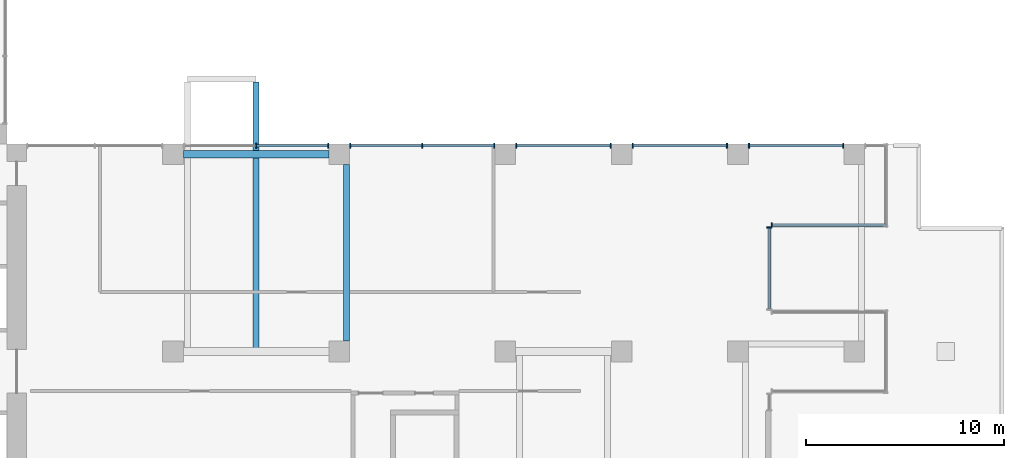
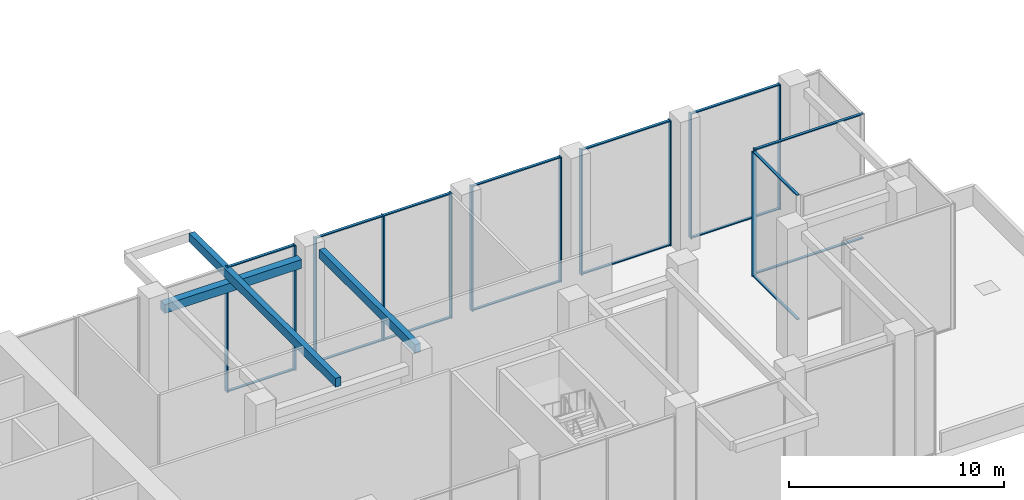
# One storey, part 5 of 18: 30 members, 2 beams, 7 elements without a shape of their own.
"""IFC4 building model written with IfcOpenShell, lengths in metres."""

from ifc_helpers import new_model, si_unit, direction, frame, origin, origin_2d, place, context, subcontext, project, spatial, rectangle, extrude, source, transform, mapped, material, layer, layer_set, material_profile, profile_set, type_object, element, aggregate, save


model = new_model("IFC4")

# Units and contexts
model_context = context("Model", 3, precision=1e-05, world=origin(), true_north=direction((0.0, 1.0)))
body_context = subcontext(model_context, "Body", "Model", "MODEL_VIEW")
ifc_project = project(units=[si_unit("LENGTHUNIT", "METRE"), si_unit("AREAUNIT", "SQUARE_METRE"), si_unit("VOLUMEUNIT", "CUBIC_METRE"), si_unit("PLANEANGLEUNIT", "RADIAN"), si_unit("MASSUNIT", "GRAM", prefix="KILO")], contexts=[model_context])

# Site, building, storey
site_placement = place(None, origin())
site = spatial("IfcSite", under=ifc_project, at=site_placement, CompositionType="ELEMENT")
building_placement = place(site_placement, origin())
building = spatial("IfcBuilding", under=site, at=building_placement, Name="Aurelian Terraces", CompositionType="ELEMENT")
storey_placement = place(building_placement, frame((0.0, 0.0, 170.3)))
storey = spatial("IfcBuildingStorey", under=building, at=storey_placement, Name="L37", CompositionType="ELEMENT", Elevation=170.3)

# Member
ifc_material_1 = material(Name="Concrete fc' 40 MPa", Category="concrete")
ifc_material_profile_1 = material_profile(ifc_material_1, rectangle(XDim=0.3, YDim=0.5, at=origin_2d()))
ifc_profile_set_1 = profile_set([ifc_material_profile_1], Name="Concrete fc' 40 MPa")
member_type_1 = type_object("IfcMemberType", Name="CONCRETE EDGE BEAM 300X500", PredefinedType="MEMBER", material=ifc_profile_set_1)
member_1_placement = place(storey_placement, frame((38.175, 19.95, 6.85), z_axis=(0.0, -1.0, 0.0), x_axis=(1.0, 0.0, 0.0)))
element("IfcMember", 1, at=member_1_placement, inside=storey, type_object=member_type_1, Name="Terrace edge member L38-X1", PredefinedType="MEMBER", context=body_context, shape_type="SweptSolid", body=[
    extrude(rectangle(XDim=0.3, YDim=0.5, at=origin_2d()), origin(), (0.0, 0.0, 1.0), 8.925),
])

# Beams
ifc_material_profile_2 = material_profile(ifc_material_1, rectangle(XDim=0.3, YDim=0.5, at=origin_2d()))
ifc_profile_set_2 = profile_set([ifc_material_profile_2], Name="Concrete fc' 40 MPa")
beam_type_1 = type_object("IfcBeamType", Name="CONCRETE CANTILEVER BEAM 300X500", PredefinedType="BEAM", material=ifc_profile_set_2)
shared_shape_1 = source(origin(), body_context, "Body", "SweptSolid", [
    extrude(rectangle(XDim=0.3, YDim=0.5, at=origin_2d()), origin(), (0.0, 0.0, 1.0), 13.625),
])
beam_1_placement = place(storey_placement, frame((33.6, 24.125, 6.85), z_axis=(0.0, -1.0, 0.0), x_axis=(1.0, 0.0, 0.0)))
element("IfcBeam", 2, at=beam_1_placement, inside=storey, type_object=beam_type_1, Name="Box cantilever beam J52.2", PredefinedType="BEAM", context=body_context, shape_type="MappedRepresentation", body=[
    mapped(shared_shape_1, transform((0.0, 0.0, 0.0), scale=1.0)),
])
ifc_material_profile_3 = material_profile(ifc_material_1, rectangle(XDim=0.4, YDim=0.5, at=origin_2d()))
ifc_profile_set_3 = profile_set([ifc_material_profile_3], Name="Concrete fc' 40 MPa")
beam_type_2 = type_object("IfcBeamType", Name="CONCRETE EDGE GIRDER 400X500", PredefinedType="BEAM", material=ifc_profile_set_3)
shared_shape_2 = source(origin(), body_context, "Body", "SweptSolid", [
    extrude(rectangle(XDim=0.4, YDim=0.5, at=origin_2d()), origin(), (0.0, 0.0, 1.0), 7.35),
])
beam_2_placement = place(storey_placement, frame((29.925, 20.475, 6.35), z_axis=(1.0, 0.0, 0.0), x_axis=(0.0, 1.0, 0.0)))
element("IfcBeam", 3, at=beam_2_placement, inside=storey, type_object=beam_type_2, Name="Box girder L37 O107", PredefinedType="BEAM", context=body_context, shape_type="MappedRepresentation", body=[
    mapped(shared_shape_2, transform((0.0, 0.0, 0.0), scale=1.0)),
])

# Curtain wall, member
ifc_material_2 = material(Name="Anodised aluminium and clear glazing", Category="aluminium")
ifc_layer = layer(ifc_material_2, 0.2)
ifc_layer_set = layer_set([ifc_layer], Name="Lobby glazing curtain wall")
curtain_wall_type = type_object("IfcCurtainWallType", Name="Lobby glazing curtain wall", PredefinedType="NOTDEFINED", material=ifc_layer_set)
curtain_wall_1_placement = place(storey_placement, origin())
curtain_wall_1 = element("IfcCurtainWall", 4, at=curtain_wall_1_placement, inside=storey, type_object=curtain_wall_type, Name="Lobby glazing L37 F06.1", PredefinedType="NOTDEFINED")
ifc_material_3 = material(Name="Anodised aluminium", Category="aluminium")
ifc_material_profile_4 = material_profile(ifc_material_3, rectangle(XDim=0.24, YDim=0.06, at=origin_2d()))
ifc_profile_set_4 = profile_set([ifc_material_profile_4], Name="Anodised aluminium")
member_type_2 = type_object("IfcMemberType", Name="Lobby glazing mullion", PredefinedType="MULLION", material=ifc_profile_set_4)
shared_shape_3 = source(origin(), body_context, "Body", "SweptSolid", [
    extrude(rectangle(XDim=0.24, YDim=0.06, at=origin_2d()), origin(), (0.0, 0.0, 1.0), 7.1),
])
member_2_placement = place(storey_placement, frame((59.54, 16.77, 0.0), z_axis=(0.0, 0.0, 1.0), x_axis=(-1.0, 0.0, 0.0)))
member_2 = element("IfcMember", 5, at=member_2_placement, type_object=member_type_2, Name="CW2 mullion 2", PredefinedType="MULLION", context=body_context, shape_type="MappedRepresentation", body=[
    mapped(shared_shape_3, transform((0.0, 0.0, 0.0), scale=1.0)),
])

curtain_wall_2_placement = place(storey_placement, origin())
curtain_wall_2 = element("IfcCurtainWall", 6, at=curtain_wall_2_placement, inside=storey, type_object=curtain_wall_type, Name="Lobby glazing L37 F07.1", PredefinedType="NOTDEFINED")
member_3_placement = place(storey_placement, frame((59.67, 16.9, 0.0), z_axis=(0.0, 0.0, 1.0), x_axis=(0.0, 1.0, 0.0)))
member_3 = element("IfcMember", 7, at=member_3_placement, type_object=member_type_2, Name="CW2 mullion 1", PredefinedType="MULLION", context=body_context, shape_type="MappedRepresentation", body=[
    mapped(shared_shape_3, transform((0.0, 0.0, 0.0), scale=1.0)),
])

# Curtain wall, members
curtain_wall_3_placement = place(storey_placement, origin())
curtain_wall_3 = element("IfcCurtainWall", 8, at=curtain_wall_3_placement, inside=storey, type_object=curtain_wall_type, Name="Lobby glazing L37 F09.2", PredefinedType="NOTDEFINED")
member_4_placement = place(storey_placement, frame((63.285, 20.9, 0.0), z_axis=(0.0, 0.0, 1.0), x_axis=(0.0, -1.0, 0.0)))
member_4 = element("IfcMember", 9, at=member_4_placement, type_object=member_type_2, Name="CW2 mullion 1", PredefinedType="MULLION", context=body_context, shape_type="MappedRepresentation", body=[
    mapped(shared_shape_3, transform((0.0, 0.0, 0.0), scale=1.0)),
])
member_5_placement = place(storey_placement, frame((58.515, 20.9, 0.0), z_axis=(0.0, 0.0, 1.0), x_axis=(0.0, -1.0, 0.0)))
member_5 = element("IfcMember", 10, at=member_5_placement, type_object=member_type_2, Name="CW2 mullion 2", PredefinedType="MULLION", context=body_context, shape_type="MappedRepresentation", body=[
    mapped(shared_shape_3, transform((0.0, 0.0, 0.0), scale=1.0)),
])

curtain_wall_4_placement = place(storey_placement, origin())
curtain_wall_4 = element("IfcCurtainWall", 11, at=curtain_wall_4_placement, inside=storey, type_object=curtain_wall_type, Name="Lobby glazing L37 F09.3", PredefinedType="NOTDEFINED")
member_6_placement = place(storey_placement, frame((57.405, 20.9, 0.0), z_axis=(0.0, 0.0, 1.0), x_axis=(0.0, -1.0, 0.0)))
member_6 = element("IfcMember", 12, at=member_6_placement, type_object=member_type_2, Name="CW2 mullion 1", PredefinedType="MULLION", context=body_context, shape_type="MappedRepresentation", body=[
    mapped(shared_shape_3, transform((0.0, 0.0, 0.0), scale=1.0)),
])
member_7_placement = place(storey_placement, frame((52.635, 20.9, 0.0), z_axis=(0.0, 0.0, 1.0), x_axis=(0.0, -1.0, 0.0)))
member_7 = element("IfcMember", 13, at=member_7_placement, type_object=member_type_2, Name="CW2 mullion 2", PredefinedType="MULLION", context=body_context, shape_type="MappedRepresentation", body=[
    mapped(shared_shape_3, transform((0.0, 0.0, 0.0), scale=1.0)),
])

curtain_wall_5_placement = place(storey_placement, origin())
curtain_wall_5 = element("IfcCurtainWall", 14, at=curtain_wall_5_placement, inside=storey, type_object=curtain_wall_type, Name="Lobby glazing L37 F09.4", PredefinedType="NOTDEFINED")
member_8_placement = place(storey_placement, frame((51.525, 20.9, 0.0), z_axis=(0.0, 0.0, 1.0), x_axis=(0.0, -1.0, 0.0)))
member_8 = element("IfcMember", 15, at=member_8_placement, type_object=member_type_2, Name="CW2 mullion 1", PredefinedType="MULLION", context=body_context, shape_type="MappedRepresentation", body=[
    mapped(shared_shape_3, transform((0.0, 0.0, 0.0), scale=1.0)),
])
member_9_placement = place(storey_placement, frame((46.755, 20.9, 0.0), z_axis=(0.0, 0.0, 1.0), x_axis=(0.0, -1.0, 0.0)))
member_9 = element("IfcMember", 16, at=member_9_placement, type_object=member_type_2, Name="CW2 mullion 2", PredefinedType="MULLION", context=body_context, shape_type="MappedRepresentation", body=[
    mapped(shared_shape_3, transform((0.0, 0.0, 0.0), scale=1.0)),
])

curtain_wall_6_placement = place(storey_placement, origin())
curtain_wall_6 = element("IfcCurtainWall", 17, at=curtain_wall_6_placement, inside=storey, type_object=curtain_wall_type, Name="Lobby glazing L37 F09.5", PredefinedType="NOTDEFINED")
member_10_placement = place(storey_placement, frame((45.645, 20.9, 0.0), z_axis=(0.0, 0.0, 1.0), x_axis=(0.0, -1.0, 0.0)))
member_10 = element("IfcMember", 18, at=member_10_placement, type_object=member_type_2, Name="CW2 mullion 1", PredefinedType="MULLION", context=body_context, shape_type="MappedRepresentation", body=[
    mapped(shared_shape_3, transform((0.0, 0.0, 0.0), scale=1.0)),
])
member_11_placement = place(storey_placement, frame((42.0, 20.9, 0.0), z_axis=(0.0, 0.0, 1.0), x_axis=(0.0, -1.0, 0.0)))
member_11 = element("IfcMember", 19, at=member_11_placement, type_object=member_type_2, Name="CW2 mullion 2", PredefinedType="MULLION", context=body_context, shape_type="MappedRepresentation", body=[
    mapped(shared_shape_3, transform((0.0, 0.0, 0.0), scale=1.0)),
])
member_12_placement = place(storey_placement, frame((38.355, 20.9, 0.0), z_axis=(0.0, 0.0, 1.0), x_axis=(0.0, -1.0, 0.0)))
member_12 = element("IfcMember", 20, at=member_12_placement, type_object=member_type_2, Name="CW2 mullion 3", PredefinedType="MULLION", context=body_context, shape_type="MappedRepresentation", body=[
    mapped(shared_shape_3, transform((0.0, 0.0, 0.0), scale=1.0)),
])

curtain_wall_7_placement = place(storey_placement, origin())
curtain_wall_7 = element("IfcCurtainWall", 21, at=curtain_wall_7_placement, inside=storey, type_object=curtain_wall_type, Name="Lobby glazing L37 F09.6", PredefinedType="NOTDEFINED")
member_13_placement = place(storey_placement, frame((37.245, 20.9, 0.0), z_axis=(0.0, 0.0, 1.0), x_axis=(0.0, -1.0, 0.0)))
member_13 = element("IfcMember", 22, at=member_13_placement, type_object=member_type_2, Name="CW2 mullion 1", PredefinedType="MULLION", context=body_context, shape_type="MappedRepresentation", body=[
    mapped(shared_shape_3, transform((0.0, 0.0, 0.0), scale=1.0)),
])
member_14_placement = place(storey_placement, frame((33.6, 20.9, 0.0), z_axis=(0.0, 0.0, 1.0), x_axis=(0.0, -1.0, 0.0)))
member_14 = element("IfcMember", 23, at=member_14_placement, type_object=member_type_2, Name="CW2 mullion 2", PredefinedType="MULLION", context=body_context, shape_type="MappedRepresentation", body=[
    mapped(shared_shape_3, transform((0.0, 0.0, 0.0), scale=1.0)),
])

# Member
ifc_material_profile_5 = material_profile(ifc_material_3, rectangle(XDim=0.14, YDim=0.06, at=origin_2d()))
ifc_profile_set_5 = profile_set([ifc_material_profile_5], Name="Anodised aluminium")
member_type_3 = type_object("IfcMemberType", Name="Lobby glazing transom", PredefinedType="USERDEFINED", material=ifc_profile_set_5)
shared_shape_4 = source(origin(), body_context, "Body", "SweptSolid", [
    extrude(rectangle(XDim=0.14, YDim=0.06, at=origin_2d()), origin(), (0.0, 0.0, 1.0), 3.585),
])
member_15_placement = place(storey_placement, frame((45.615, 20.9, 0.03), z_axis=(-1.0, 0.0, 0.0), x_axis=(0.0, -1.0, 0.0)))
member_15 = element("IfcMember", 24, at=member_15_placement, type_object=member_type_3, Name="CW2 transom 1.1", ObjectType="TRANSOM", PredefinedType="USERDEFINED", context=body_context, shape_type="MappedRepresentation", body=[
    mapped(shared_shape_4, transform((0.0, 0.0, 0.0), scale=1.0)),
])

member_16_placement = place(storey_placement, frame((45.615, 20.9, 7.07), z_axis=(-1.0, 0.0, 0.0), x_axis=(0.0, -1.0, 0.0)))
member_16 = element("IfcMember", 25, at=member_16_placement, type_object=member_type_3, Name="CW2 transom 1.2", ObjectType="TRANSOM", PredefinedType="USERDEFINED", context=body_context, shape_type="MappedRepresentation", body=[
    mapped(shared_shape_4, transform((0.0, 0.0, 0.0), scale=1.0)),
])

member_17_placement = place(storey_placement, frame((41.97, 20.9, 0.03), z_axis=(-1.0, 0.0, 0.0), x_axis=(0.0, -1.0, 0.0)))
member_17 = element("IfcMember", 26, at=member_17_placement, type_object=member_type_3, Name="CW2 transom 2.1", ObjectType="TRANSOM", PredefinedType="USERDEFINED", context=body_context, shape_type="MappedRepresentation", body=[
    mapped(shared_shape_4, transform((0.0, 0.0, 0.0), scale=1.0)),
])

member_18_placement = place(storey_placement, frame((41.97, 20.9, 7.07), z_axis=(-1.0, 0.0, 0.0), x_axis=(0.0, -1.0, 0.0)))
member_18 = element("IfcMember", 27, at=member_18_placement, type_object=member_type_3, Name="CW2 transom 2.2", ObjectType="TRANSOM", PredefinedType="USERDEFINED", context=body_context, shape_type="MappedRepresentation", body=[
    mapped(shared_shape_4, transform((0.0, 0.0, 0.0), scale=1.0)),
])

aggregate(curtain_wall_6, [member_10, member_11, member_12, member_15, member_16, member_17, member_18])

member_19_placement = place(storey_placement, frame((37.215, 20.9, 0.03), z_axis=(-1.0, 0.0, 0.0), x_axis=(0.0, -1.0, 0.0)))
member_19 = element("IfcMember", 28, at=member_19_placement, type_object=member_type_3, Name="CW2 transom 1.1", ObjectType="TRANSOM", PredefinedType="USERDEFINED", context=body_context, shape_type="MappedRepresentation", body=[
    mapped(shared_shape_4, transform((0.0, 0.0, 0.0), scale=1.0)),
])

member_20_placement = place(storey_placement, frame((37.215, 20.9, 7.07), z_axis=(-1.0, 0.0, 0.0), x_axis=(0.0, -1.0, 0.0)))
member_20 = element("IfcMember", 29, at=member_20_placement, type_object=member_type_3, Name="CW2 transom 1.2", ObjectType="TRANSOM", PredefinedType="USERDEFINED", context=body_context, shape_type="MappedRepresentation", body=[
    mapped(shared_shape_4, transform((0.0, 0.0, 0.0), scale=1.0)),
])

aggregate(curtain_wall_7, [member_13, member_14, member_19, member_20])

shared_shape_5 = source(origin(), body_context, "Body", "SweptSolid", [
    extrude(rectangle(XDim=0.14, YDim=0.06, at=origin_2d()), origin(), (0.0, 0.0, 1.0), 4.71),
])
member_21_placement = place(storey_placement, frame((63.255, 20.9, 0.03), z_axis=(-1.0, 0.0, 0.0), x_axis=(0.0, -1.0, 0.0)))
member_21 = element("IfcMember", 30, at=member_21_placement, type_object=member_type_3, Name="CW2 transom 1.1", ObjectType="TRANSOM", PredefinedType="USERDEFINED", context=body_context, shape_type="MappedRepresentation", body=[
    mapped(shared_shape_5, transform((0.0, 0.0, 0.0), scale=1.0)),
])

member_22_placement = place(storey_placement, frame((63.255, 20.9, 7.07), z_axis=(-1.0, 0.0, 0.0), x_axis=(0.0, -1.0, 0.0)))
member_22 = element("IfcMember", 31, at=member_22_placement, type_object=member_type_3, Name="CW2 transom 1.2", ObjectType="TRANSOM", PredefinedType="USERDEFINED", context=body_context, shape_type="MappedRepresentation", body=[
    mapped(shared_shape_5, transform((0.0, 0.0, 0.0), scale=1.0)),
])

aggregate(curtain_wall_3, [member_4, member_5, member_21, member_22])

member_23_placement = place(storey_placement, frame((57.375, 20.9, 0.03), z_axis=(-1.0, 0.0, 0.0), x_axis=(0.0, -1.0, 0.0)))
member_23 = element("IfcMember", 32, at=member_23_placement, type_object=member_type_3, Name="CW2 transom 1.1", ObjectType="TRANSOM", PredefinedType="USERDEFINED", context=body_context, shape_type="MappedRepresentation", body=[
    mapped(shared_shape_5, transform((0.0, 0.0, 0.0), scale=1.0)),
])

member_24_placement = place(storey_placement, frame((57.375, 20.9, 7.07), z_axis=(-1.0, 0.0, 0.0), x_axis=(0.0, -1.0, 0.0)))
member_24 = element("IfcMember", 33, at=member_24_placement, type_object=member_type_3, Name="CW2 transom 1.2", ObjectType="TRANSOM", PredefinedType="USERDEFINED", context=body_context, shape_type="MappedRepresentation", body=[
    mapped(shared_shape_5, transform((0.0, 0.0, 0.0), scale=1.0)),
])

aggregate(curtain_wall_4, [member_6, member_7, member_23, member_24])

member_25_placement = place(storey_placement, frame((51.495, 20.9, 0.03), z_axis=(-1.0, 0.0, 0.0), x_axis=(0.0, -1.0, 0.0)))
member_25 = element("IfcMember", 34, at=member_25_placement, type_object=member_type_3, Name="CW2 transom 1.1", ObjectType="TRANSOM", PredefinedType="USERDEFINED", context=body_context, shape_type="MappedRepresentation", body=[
    mapped(shared_shape_5, transform((0.0, 0.0, 0.0), scale=1.0)),
])

member_26_placement = place(storey_placement, frame((51.495, 20.9, 7.07), z_axis=(-1.0, 0.0, 0.0), x_axis=(0.0, -1.0, 0.0)))
member_26 = element("IfcMember", 35, at=member_26_placement, type_object=member_type_3, Name="CW2 transom 1.2", ObjectType="TRANSOM", PredefinedType="USERDEFINED", context=body_context, shape_type="MappedRepresentation", body=[
    mapped(shared_shape_5, transform((0.0, 0.0, 0.0), scale=1.0)),
])

aggregate(curtain_wall_5, [member_8, member_9, member_25, member_26])

shared_shape_6 = source(origin(), body_context, "Body", "SweptSolid", [
    extrude(rectangle(XDim=0.14, YDim=0.06, at=origin_2d()), origin(), (0.0, 0.0, 1.0), 5.76),
])
member_27_placement = place(storey_placement, frame((59.7, 16.9, 0.03), z_axis=(1.0, 0.0, 0.0), x_axis=(0.0, 1.0, 0.0)))
member_27 = element("IfcMember", 36, at=member_27_placement, type_object=member_type_3, Name="CW2 transom 1.1", ObjectType="TRANSOM", PredefinedType="USERDEFINED", context=body_context, shape_type="MappedRepresentation", body=[
    mapped(shared_shape_6, transform((0.0, 0.0, 0.0), scale=1.0)),
])

member_28_placement = place(storey_placement, frame((59.7, 16.9, 7.07), z_axis=(1.0, 0.0, 0.0), x_axis=(0.0, 1.0, 0.0)))
member_28 = element("IfcMember", 37, at=member_28_placement, type_object=member_type_3, Name="CW2 transom 1.2", ObjectType="TRANSOM", PredefinedType="USERDEFINED", context=body_context, shape_type="MappedRepresentation", body=[
    mapped(shared_shape_6, transform((0.0, 0.0, 0.0), scale=1.0)),
])

aggregate(curtain_wall_2, [member_3, member_27, member_28])

shared_shape_7 = source(origin(), body_context, "Body", "SweptSolid", [
    extrude(rectangle(XDim=0.14, YDim=0.06, at=origin_2d()), origin(), (0.0, 0.0, 1.0), 4.08),
])
member_29_placement = place(storey_placement, frame((59.54, 12.66, 0.03), z_axis=(0.0, 1.0, 0.0), x_axis=(-1.0, 0.0, 0.0)))
member_29 = element("IfcMember", 38, at=member_29_placement, type_object=member_type_3, Name="CW2 transom 1.1", ObjectType="TRANSOM", PredefinedType="USERDEFINED", context=body_context, shape_type="MappedRepresentation", body=[
    mapped(shared_shape_7, transform((0.0, 0.0, 0.0), scale=1.0)),
])

member_30_placement = place(storey_placement, frame((59.54, 12.66, 7.07), z_axis=(0.0, 1.0, 0.0), x_axis=(-1.0, 0.0, 0.0)))
member_30 = element("IfcMember", 39, at=member_30_placement, type_object=member_type_3, Name="CW2 transom 1.2", ObjectType="TRANSOM", PredefinedType="USERDEFINED", context=body_context, shape_type="MappedRepresentation", body=[
    mapped(shared_shape_7, transform((0.0, 0.0, 0.0), scale=1.0)),
])

aggregate(curtain_wall_1, [member_2, member_29, member_30])

save(model, "model.ifc")
